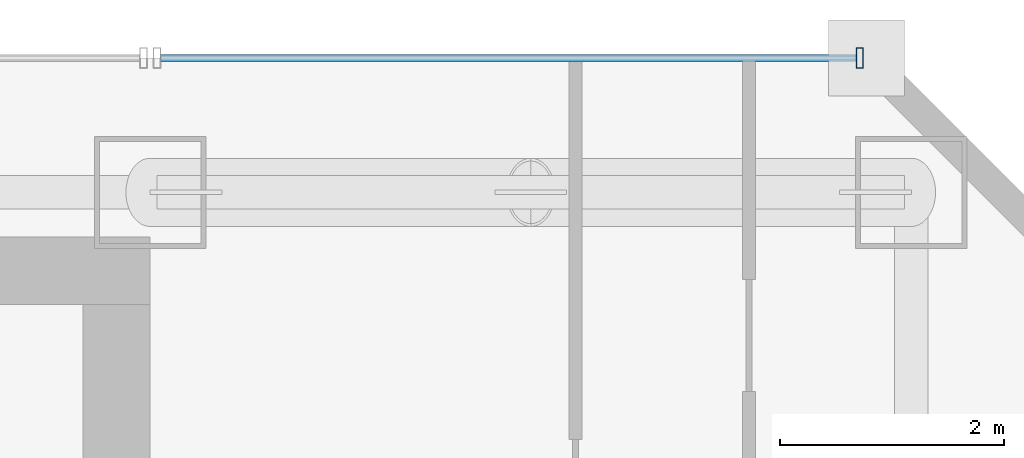
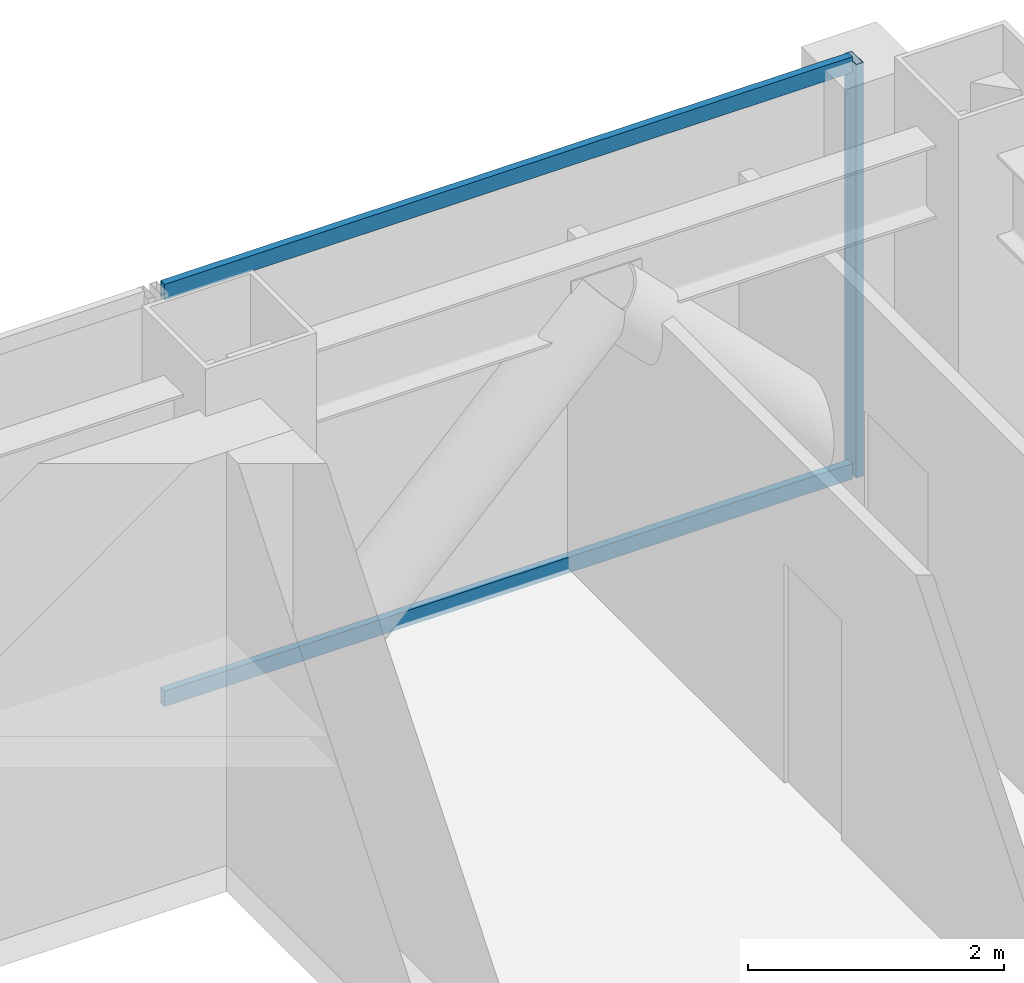
# One storey, part 27 of 36: 3 members, 1 element without a shape of its own.
"""IFC4 building model written with IfcOpenShell, lengths in metres."""

from ifc_helpers import new_model, si_unit, direction, frame, origin, origin_2d, place, context, subcontext, project, spatial, hollow_rectangle, extrude, material, material_profile, profile_set, type_object, element, aggregate, save


model = new_model("IFC4")

# Units and contexts
model_context = context("Model", 3, precision=1e-05, world=origin(), true_north=direction((0.0, 1.0)))
body_context = subcontext(model_context, "Body", "Model", "MODEL_VIEW")
ifc_project = project(units=[si_unit("LENGTHUNIT", "METRE"), si_unit("AREAUNIT", "SQUARE_METRE"), si_unit("VOLUMEUNIT", "CUBIC_METRE"), si_unit("PLANEANGLEUNIT", "RADIAN"), si_unit("MASSUNIT", "GRAM", prefix="KILO")], contexts=[model_context])

# Site, building, storey
site_placement = place(None, origin())
site = spatial("IfcSite", under=ifc_project, at=site_placement, CompositionType="ELEMENT")
building_placement = place(site_placement, origin())
building = spatial("IfcBuilding", under=site, at=building_placement, Name="Saevonmaru Cultural Tower", CompositionType="ELEMENT")
storey_placement = place(building_placement, frame((0.0, 0.0, 119.199951171875)))
storey = spatial("IfcBuildingStorey", under=building, at=storey_placement, Name="L25", CompositionType="ELEMENT", Elevation=119.199951171875)

# Curtain wall, members
ifc_material = material(Name="Satin Bronze Anodised Aluminium", Category="aluminium")
curtain_wall_type = type_object("IfcCurtainWallType", Name="CW-TYP-A", PredefinedType="NOTDEFINED", material=ifc_material)
curtain_wall_placement = place(storey_placement, origin())
curtain_wall = element("IfcCurtainWall", 1, at=curtain_wall_placement, inside=storey, type_object=curtain_wall_type, Name="L25 East Braced Bay Spandrel Curtain Wall E10A", PredefinedType="NOTDEFINED")
ifc_material_profile_1 = material_profile(ifc_material, hollow_rectangle(XDim=0.06494140625, YDim=0.179931640625, WallThickness=0.00390625, at=origin_2d()), Name="ALU-MULL-180x65x4")
ifc_profile_set_1 = profile_set([ifc_material_profile_1], Name="Satin Bronze Anodised Aluminium")
member_type_1 = type_object("IfcMemberType", Name="ML-CW-180x65", PredefinedType="MULLION", material=ifc_profile_set_1)
member_1_placement = place(storey_placement, frame((52.739990234375, 56.0, 0.0), z_axis=(0.0, 0.0, 1.0), x_axis=(-1.0, 0.0, 0.0)))
member_1 = element("IfcMember", 2, at=member_1_placement, type_object=member_type_1, Name="CW-TW-L25-E10A mullion 1", PredefinedType="MULLION", context=body_context, shape_type="SweptSolid", body=[
    extrude(hollow_rectangle(XDim=0.06494140625, YDim=0.179931640625, WallThickness=0.00390625, at=origin_2d()), origin(), (0.0, 0.0, 1.0), 3.949951171875),
])
ifc_material_profile_2 = material_profile(ifc_material, hollow_rectangle(XDim=0.06494140625, YDim=0.14990234375, WallThickness=0.00390625, at=origin_2d()), Name="ALU-TRAN-150x65x4")
ifc_profile_set_2 = profile_set([ifc_material_profile_2], Name="Satin Bronze Anodised Aluminium")
member_type_2 = type_object("IfcMemberType", Name="TR-CW-150x65", PredefinedType="USERDEFINED", material=ifc_profile_set_2)
member_2_placement = place(storey_placement, frame((52.70751953125, 56.0, 0.032470703125), z_axis=(-1.0, 0.0, 0.0), x_axis=(0.0, -1.0, 0.0)))
member_2 = element("IfcMember", 3, at=member_2_placement, type_object=member_type_2, Name="CW-TW-L25-E10A transom 1.1", ObjectType="TRANSOM", PredefinedType="USERDEFINED", context=body_context, shape_type="SweptSolid", body=[
    extrude(hollow_rectangle(XDim=0.06494140625, YDim=0.14990234375, WallThickness=0.00390625, at=origin_2d()), origin(), (0.0, 0.0, 1.0), 6.215087890625),
])
member_3_placement = place(storey_placement, frame((52.70751953125, 56.0, 3.91748046875), z_axis=(-1.0, 0.0, 0.0), x_axis=(0.0, -1.0, 0.0)))
member_3 = element("IfcMember", 4, at=member_3_placement, type_object=member_type_2, Name="CW-TW-L25-E10A transom 1.2", ObjectType="TRANSOM", PredefinedType="USERDEFINED", context=body_context, shape_type="SweptSolid", body=[
    extrude(hollow_rectangle(XDim=0.06494140625, YDim=0.14990234375, WallThickness=0.00390625, at=origin_2d()), origin(), (0.0, 0.0, 1.0), 6.215087890625),
])
aggregate(curtain_wall, [member_1, member_2, member_3])

save(model, "model.ifc")
